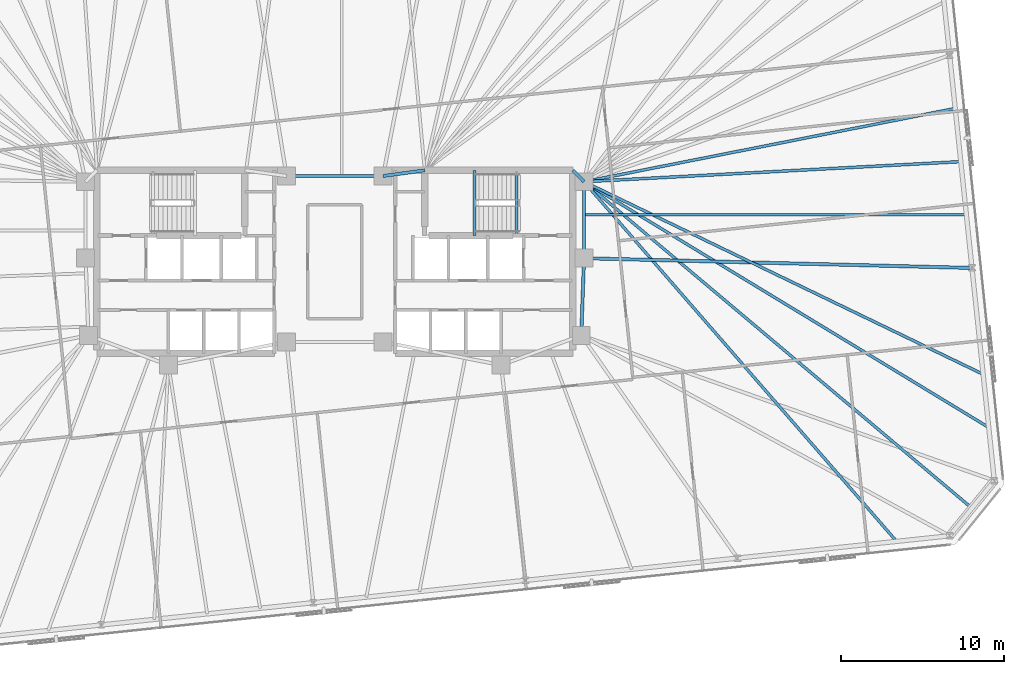
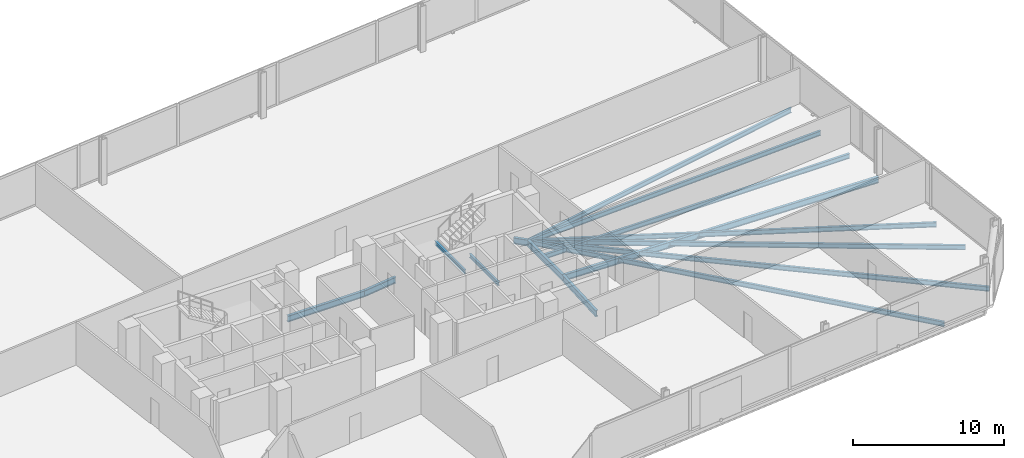
# One storey, part 8 of 18: 15 beams.
"""IFC4 building model written with IfcOpenShell, lengths in metres."""

from ifc_helpers import new_model, si_unit, direction, frame, origin, origin_2d, place, context, subcontext, project, spatial, i_section, extrude, material, material_profile, profile_set, type_object, element, save


model = new_model("IFC4")

# Units and contexts
model_context = context("Model", 3, precision=1e-05, world=origin(), true_north=direction((0.0, 1.0)))
body_context = subcontext(model_context, "Body", "Model", "MODEL_VIEW")
ifc_project = project(units=[si_unit("LENGTHUNIT", "METRE"), si_unit("AREAUNIT", "SQUARE_METRE"), si_unit("VOLUMEUNIT", "CUBIC_METRE"), si_unit("PLANEANGLEUNIT", "RADIAN"), si_unit("MASSUNIT", "GRAM", prefix="KILO")], contexts=[model_context])

# Site, building, storey
site_placement = place(None, origin())
site = spatial("IfcSite", under=ifc_project, at=site_placement, CompositionType="ELEMENT")
building_placement = place(site_placement, origin())
building = spatial("IfcBuilding", under=site, at=building_placement, Name="Menara Jurai Vektor", CompositionType="ELEMENT")
storey_placement = place(building_placement, frame((0.0, 0.0, 124.39990234375)))
storey = spatial("IfcBuildingStorey", under=building, at=storey_placement, Name="L31", CompositionType="ELEMENT", Elevation=124.39990234375)

# Beams
ifc_material = material(Name="Steel S355", Category="steel")
ifc_material_profile_1 = material_profile(ifc_material, i_section(OverallWidth=0.199951171875, OverallDepth=0.5, WebThickness=0.011962890625, FlangeThickness=0.02001953125, at=origin_2d()), Name="PG 500x200x96")
ifc_profile_set_1 = profile_set([ifc_material_profile_1], Name="Steel S355")
beam_type_1 = type_object("IfcBeamType", Name="STR-BM-500", PredefinedType="BEAM", material=ifc_profile_set_1)
beam_1_placement = place(storey_placement, frame((2.949951171875, 5.25, -0.474853515625), z_axis=(0.990706818608, 0.136014703483, 0.0), x_axis=(-0.136014703483, 0.990706818608, 0.0)))
element("IfcBeam", 1, at=beam_1_placement, inside=storey, type_object=beam_type_1, Name="Core Ring Header Girder L31-CHE-N1", PredefinedType="BEAM", context=body_context, shape_type="SweptSolid", body=[
    extrude(i_section(OverallWidth=0.199951171875, OverallDepth=0.5, WebThickness=0.011962890625, FlangeThickness=0.02001953125, at=origin_2d()), origin(), (0.0, 0.0, 1.0), 2.573974609375),
])
beam_2_placement = place(storey_placement, frame((14.56005859375, 5.60009765625, -0.474853515625), z_axis=(0.701871936926, -0.712303154672, 0.0), x_axis=(0.712303154672, 0.701871936926, 0.0)))
element("IfcBeam", 2, at=beam_2_placement, inside=storey, type_object=beam_type_1, Name="Core Ring Header Girder L31-CHE-N2", PredefinedType="BEAM", context=body_context, shape_type="SweptSolid", body=[
    extrude(i_section(OverallWidth=0.199951171875, OverallDepth=0.5, WebThickness=0.011962890625, FlangeThickness=0.02001953125, at=origin_2d()), origin(), (0.0, 0.0, 1.0), 0.98291015625),
])
beam_3_placement = place(storey_placement, frame((15.25, 0.219970703125, -0.474853515625), z_axis=(0.0, 1.0, 0.0), x_axis=(-1.0, 0.0, 0.0)))
element("IfcBeam", 3, at=beam_3_placement, inside=storey, type_object=beam_type_1, Name="Core Ring Header Girder L31-CHE-E1", PredefinedType="BEAM", context=body_context, shape_type="SweptSolid", body=[
    extrude(i_section(OverallWidth=0.199951171875, OverallDepth=0.5, WebThickness=0.011962890625, FlangeThickness=0.02001953125, at=origin_2d()), origin(), (0.0, 0.0, 1.0), 4.679931640625),
])
beam_4_placement = place(storey_placement, frame((15.080078125, -4.5, -0.474853515625), z_axis=(0.035977314146, 0.999352606874, 0.0), x_axis=(-0.999352606874, 0.035977314146, 0.0)))
element("IfcBeam", 4, at=beam_4_placement, inside=storey, type_object=beam_type_1, Name="Core Ring Header Girder L31-CHE-E2", PredefinedType="BEAM", context=body_context, shape_type="SweptSolid", body=[
    extrude(i_section(OverallWidth=0.199951171875, OverallDepth=0.5, WebThickness=0.011962890625, FlangeThickness=0.02001953125, at=origin_2d()), origin(), (0.0, 0.0, 1.0), 4.72314453125),
])
beam_5_placement = place(storey_placement, frame((-2.949951171875, 5.25, -0.474853515625), z_axis=(1.0, 0.0, 0.0), x_axis=(0.0, 1.0, 0.0)))
element("IfcBeam", 5, at=beam_5_placement, inside=storey, type_object=beam_type_1, Name="Core Ring Header Girder L31-CC-2", PredefinedType="BEAM", context=body_context, shape_type="SweptSolid", body=[
    extrude(i_section(OverallWidth=0.199951171875, OverallDepth=0.5, WebThickness=0.011962890625, FlangeThickness=0.02001953125, at=origin_2d()), origin(), (0.0, 0.0, 1.0), 5.89990234375),
])
beam_6_placement = place(storey_placement, frame((38.98828125, -0.375, -0.474853515625), z_axis=(-0.999686051749, 0.02505589629, 0.0), x_axis=(-0.02505589629, -0.999686051749, 0.0)))
element("IfcBeam", 6, at=beam_6_placement, inside=storey, type_object=beam_type_1, Name="Radial Floor Girder L31-E2", PredefinedType="BEAM", context=body_context, shape_type="SweptSolid", body=[
    extrude(i_section(OverallWidth=0.199951171875, OverallDepth=0.5, WebThickness=0.011962890625, FlangeThickness=0.02001953125, at=origin_2d()), origin(), (0.0, 0.0, 1.0), 23.745849609375),
])
ifc_material_profile_2 = material_profile(ifc_material, i_section(OverallWidth=0.175048828125, OverallDepth=0.3798828125, WebThickness=0.010009765625, FlangeThickness=0.014892578125, at=origin_2d()), Name="PG 380x175x58")
ifc_profile_set_2 = profile_set([ifc_material_profile_2], Name="Steel S355")
beam_type_2 = type_object("IfcBeamType", Name="STR-JS-380", PredefinedType="JOIST", material=ifc_profile_set_2)
beam_7_placement = place(storey_placement, frame((34.376953125, -17.106201171875, -0.414794921875), z_axis=(-0.656007047389, 0.754754763996, 0.0), x_axis=(-0.754754763996, -0.656007047389, 0.0)))
element("IfcBeam", 7, at=beam_7_placement, inside=storey, type_object=beam_type_2, Name="Radial Secondary Floor Joist L31-JS09", PredefinedType="JOIST", context=body_context, shape_type="SweptSolid", body=[
    extrude(i_section(OverallWidth=0.175048828125, OverallDepth=0.3798828125, WebThickness=0.010009765625, FlangeThickness=0.014892578125, at=origin_2d()), origin(), (0.0, 0.0, 1.0), 29.15673828125),
])
beam_8_placement = place(storey_placement, frame((38.989013671875, -15.076904296875, -0.414794921875), z_axis=(-0.765132553444, 0.643872794627, 0.0), x_axis=(-0.643872794627, -0.765132553444, 0.0)))
element("IfcBeam", 8, at=beam_8_placement, inside=storey, type_object=beam_type_2, Name="Radial Secondary Floor Joist L31-JS10", PredefinedType="JOIST", context=body_context, shape_type="SweptSolid", body=[
    extrude(i_section(OverallWidth=0.175048828125, OverallDepth=0.3798828125, WebThickness=0.010009765625, FlangeThickness=0.014892578125, at=origin_2d()), origin(), (0.0, 0.0, 1.0), 31.026123046875),
])
beam_9_placement = place(storey_placement, frame((40.01416015625, -10.13525390625, -0.414794921875), z_axis=(-0.854790986557, 0.518972416706, 0.0), x_axis=(-0.518972416706, -0.854790986557, 0.0)))
element("IfcBeam", 9, at=beam_9_placement, inside=storey, type_object=beam_type_2, Name="Radial Secondary Floor Joist L31-JS11", PredefinedType="JOIST", context=body_context, shape_type="SweptSolid", body=[
    extrude(i_section(OverallWidth=0.175048828125, OverallDepth=0.3798828125, WebThickness=0.010009765625, FlangeThickness=0.014892578125, at=origin_2d()), origin(), (0.0, 0.0, 1.0), 28.970947265625),
])
beam_10_placement = place(storey_placement, frame((39.672119140625, -6.8818359375, -0.414794921875), z_axis=(-0.90067072624, 0.434502293312, 0.0), x_axis=(-0.434502293312, -0.90067072624, 0.0)))
element("IfcBeam", 10, at=beam_10_placement, inside=storey, type_object=beam_type_2, Name="Radial Secondary Floor Joist L31-JS12", PredefinedType="JOIST", context=body_context, shape_type="SweptSolid", body=[
    extrude(i_section(OverallWidth=0.175048828125, OverallDepth=0.3798828125, WebThickness=0.010009765625, FlangeThickness=0.014892578125, at=origin_2d()), origin(), (0.0, 0.0, 1.0), 27.115478515625),
])
beam_11_placement = place(storey_placement, frame((38.646484375, 2.87841796875, -0.414794921875), z_axis=(-1.0, 0.0, 0.0), x_axis=(0.0, -1.0, 0.0)))
element("IfcBeam", 11, at=beam_11_placement, inside=storey, type_object=beam_type_2, Name="Radial Secondary Floor Joist L31-JS13", PredefinedType="JOIST", context=body_context, shape_type="SweptSolid", body=[
    extrude(i_section(OverallWidth=0.175048828125, OverallDepth=0.3798828125, WebThickness=0.010009765625, FlangeThickness=0.014892578125, at=origin_2d()), origin(), (0.0, 0.0, 1.0), 23.396484375),
])
beam_12_placement = place(storey_placement, frame((38.304443359375, 6.131591796875, -0.414794921875), z_axis=(-0.998575919005, -0.053349170414, 0.0), x_axis=(0.053349170414, -0.998575919005, 0.0)))
element("IfcBeam", 12, at=beam_12_placement, inside=storey, type_object=beam_type_2, Name="Radial Secondary Floor Joist L31-JS14", PredefinedType="JOIST", context=body_context, shape_type="SweptSolid", body=[
    extrude(i_section(OverallWidth=0.175048828125, OverallDepth=0.3798828125, WebThickness=0.010009765625, FlangeThickness=0.014892578125, at=origin_2d()), origin(), (0.0, 0.0, 1.0), 23.08740234375),
])
beam_13_placement = place(storey_placement, frame((37.96240234375, 9.385009765625, -0.414794921875), z_axis=(-0.981054359007, -0.193732662897, 0.0), x_axis=(0.193732662897, -0.981054359007, 0.0)))
element("IfcBeam", 13, at=beam_13_placement, inside=storey, type_object=beam_type_2, Name="Radial Secondary Floor Joist L31-JS15", PredefinedType="JOIST", context=body_context, shape_type="SweptSolid", body=[
    extrude(i_section(OverallWidth=0.175048828125, OverallDepth=0.3798828125, WebThickness=0.010009765625, FlangeThickness=0.014892578125, at=origin_2d()), origin(), (0.0, 0.0, 1.0), 23.151123046875),
])
ifc_material_profile_3 = material_profile(ifc_material, i_section(OverallWidth=0.1650390625, OverallDepth=0.302978515625, WebThickness=0.006103515625, FlangeThickness=0.010009765625, FilletRadius=0.009033203125, at=origin_2d()), Name="UKB 305x165x40")
ifc_profile_set_3 = profile_set([ifc_material_profile_3], Name="Steel S355")
beam_type_3 = type_object("IfcBeamType", Name="STR-LN-305", PredefinedType="LINTEL", material=ifc_profile_set_3)
beam_14_placement = place(storey_placement, frame((11.1201171875, 1.60009765625, -0.37646484375), z_axis=(0.0, 1.0, 0.0), x_axis=(-1.0, 0.0, 0.0)))
element("IfcBeam", 14, at=beam_14_placement, inside=storey, type_object=beam_type_3, Name="Stair Well Floor Trimmer ST2 L31", PredefinedType="LINTEL", context=body_context, shape_type="SweptSolid", body=[
    extrude(i_section(OverallWidth=0.1650390625, OverallDepth=0.302978515625, WebThickness=0.006103515625, FlangeThickness=0.010009765625, FilletRadius=0.009033203125, at=origin_2d()), origin(), (0.0, 0.0, 1.0), 3.81982421875),
])
beam_15_placement = place(storey_placement, frame((8.550048828125, 1.60009765625, 1.49853515625), z_axis=(0.0, 1.0, 0.0), x_axis=(-1.0, 0.0, 0.0)))
element("IfcBeam", 15, at=beam_15_placement, inside=storey, type_object=beam_type_3, Name="Stair Half-Landing Nosing Trimmer ST2-1 L31", PredefinedType="LINTEL", context=body_context, shape_type="SweptSolid", body=[
    extrude(i_section(OverallWidth=0.1650390625, OverallDepth=0.302978515625, WebThickness=0.006103515625, FlangeThickness=0.010009765625, FilletRadius=0.009033203125, at=origin_2d()), origin(), (0.0, 0.0, 1.0), 4.0),
])

save(model, "model.ifc")
